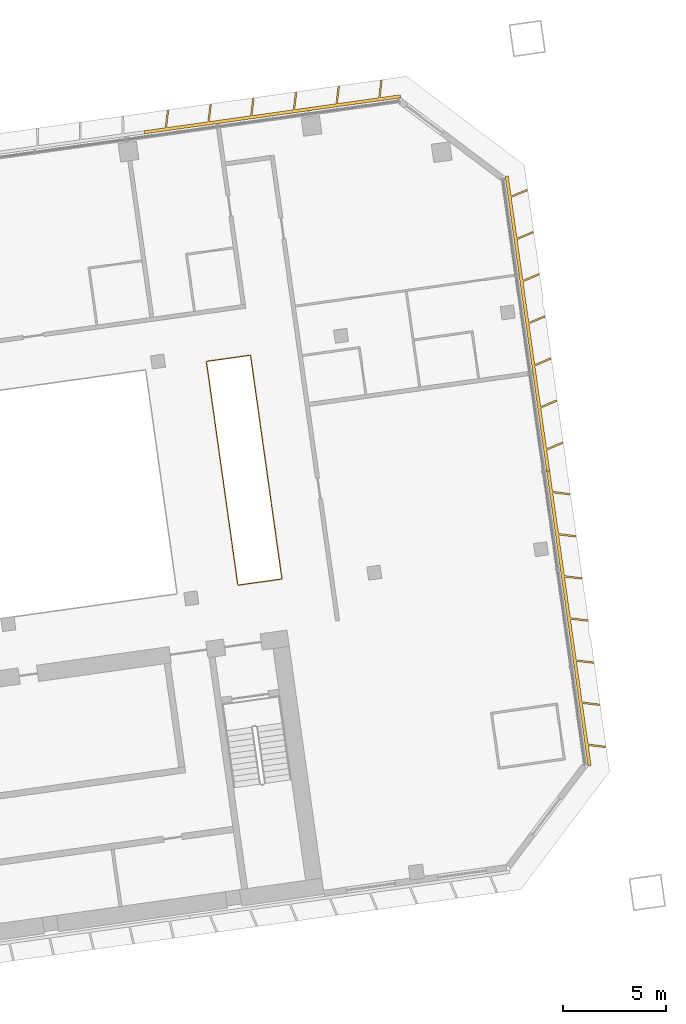
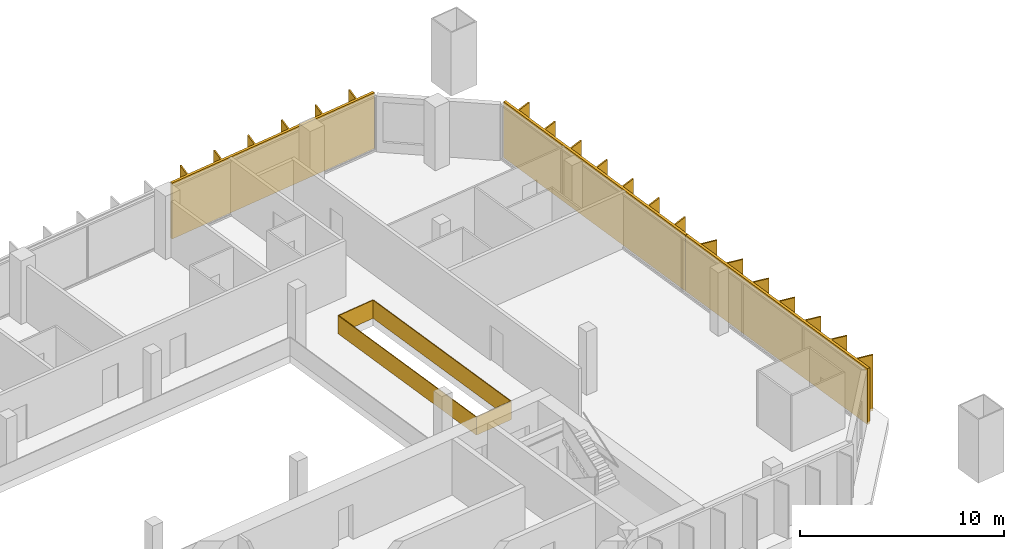
# One storey, part 25 of 25: 3 shading devices, 1 railing.
"""IFC4 building model written with IfcOpenShell, lengths in metres."""

from ifc_helpers import new_model, si_unit, direction, frame, origin, origin_2d, place, context, subcontext, project, spatial, polyline, rectangle, outline, extrude, material, type_object, element, save


model = new_model("IFC4")

# Units and contexts
model_context = context("Model", 3, precision=1e-05, world=origin(), true_north=direction((0.0, 1.0)))
body_context = subcontext(model_context, "Body", "Model", "MODEL_VIEW")
ifc_project = project(units=[si_unit("LENGTHUNIT", "METRE"), si_unit("AREAUNIT", "SQUARE_METRE"), si_unit("VOLUMEUNIT", "CUBIC_METRE"), si_unit("PLANEANGLEUNIT", "RADIAN"), si_unit("MASSUNIT", "GRAM", prefix="KILO")], contexts=[model_context])

# Site, building, storey
site_placement = place(None, origin())
site = spatial("IfcSite", under=ifc_project, at=site_placement, CompositionType="ELEMENT")
building_placement = place(site_placement, origin())
building = spatial("IfcBuilding", under=site, at=building_placement, Name="Mirante Cascada Hotel Towers", CompositionType="ELEMENT")
storey_placement = place(building_placement, frame((0.0, 0.0, 129.1)))
storey = spatial("IfcBuildingStorey", under=building, at=storey_placement, Name="L29", CompositionType="ELEMENT", Elevation=129.1)

# Railing
ifc_material_1 = material(Name="Toughened glass with stainless steel handrail", Category="steel")
railing_type = type_object("IfcRailingType", Name="Atrium guard 1100 glass balustrade", PredefinedType="GUARDRAIL", material=ifc_material_1)
railing_placement = place(storey_placement, frame((86.2624, 2.4738, 0.0)))
element("IfcRailing", 1, at=railing_placement, inside=storey, type_object=railing_type, Name="GUARD 2-L29-3", PredefinedType="GUARDRAIL", context=body_context, shape_type="SweptSolid", body=[
    extrude(rectangle(XDim=0.048, YDim=0.048, at=origin_2d()), frame((0.0, 0.0, 1.076), z_axis=(0.9902724, 0.1391422, 0.0), x_axis=(-0.1391422, 0.9902724, 0.0)), (0.0, 0.0, 1.0), 2.1625),
    extrude(rectangle(XDim=0.02, YDim=1.052, at=origin_2d()), frame((0.0, 0.0, 0.526), z_axis=(0.9902724, 0.1391422, 0.0), x_axis=(-0.1391422, 0.9902724, 0.0)), (0.0, 0.0, 1.0), 2.1625),
    extrude(rectangle(XDim=0.048, YDim=0.048, at=origin_2d()), frame((2.1415, 0.3009, 1.076), z_axis=(-0.1391721, 0.9902682, 0.0), x_axis=(-0.9902682, -0.1391721, 0.0)), (0.0, 0.0, 1.0), 11.0001),
    extrude(rectangle(XDim=0.02, YDim=1.052, at=origin_2d()), frame((2.1415, 0.3009, 0.526), z_axis=(-0.1391721, 0.9902682, 0.0), x_axis=(-0.9902682, -0.1391721, 0.0)), (0.0, 0.0, 1.0), 11.0001),
    extrude(rectangle(XDim=0.048, YDim=0.048, at=origin_2d()), frame((0.6106, 11.1939, 1.076), z_axis=(-0.990266, -0.1391875, 0.0), x_axis=(0.1391875, -0.990266, 0.0)), (0.0, 0.0, 1.0), 2.1626),
    extrude(rectangle(XDim=0.02, YDim=1.052, at=origin_2d()), frame((0.6106, 11.1939, 0.526), z_axis=(-0.990266, -0.1391875, 0.0), x_axis=(0.1391875, -0.990266, 0.0)), (0.0, 0.0, 1.0), 2.1626),
    extrude(rectangle(XDim=0.048, YDim=0.048, at=origin_2d()), frame((-1.5309, 10.8929, 1.076), z_axis=(0.1391733, -0.990268, 0.0), x_axis=(0.990268, 0.1391733, 0.0)), (0.0, 0.0, 1.0), 11.0),
    extrude(rectangle(XDim=0.02, YDim=1.052, at=origin_2d()), frame((-1.5309, 10.8929, 0.526), z_axis=(0.1391733, -0.990268, 0.0), x_axis=(0.990268, 0.1391733, 0.0)), (0.0, 0.0, 1.0), 11.0),
])

# Shading devices
ifc_material_2 = material(Name="White precast concrete C50/60 fin", Category="concrete")
shading_device_type = type_object("IfcShadingDeviceType", Name="Vertical fin set 4500x900", PredefinedType="USERDEFINED", material=ifc_material_2)
shading_device_1_placement = place(storey_placement, origin())
element("IfcShadingDevice", 2, at=shading_device_1_placement, inside=storey, type_object=shading_device_type, Name="FIN T2 L29 front 1", ObjectType="FIN", PredefinedType="USERDEFINED", context=body_context, shape_type="SweptSolid", body=[
    extrude(outline(polyline([(82.8967, 25.5893), (82.7946, 24.758), (84.7922, 25.0387), (84.8968, 25.8913), (84.9762, 25.8815), (84.8742, 25.0503), (86.8717, 25.331), (86.9764, 26.1835), (87.0558, 26.1738), (86.9537, 25.3425), (88.9513, 25.6233), (89.056, 26.4758), (89.1354, 26.4661), (89.0333, 25.6348), (91.0308, 25.9155), (91.1355, 26.7681), (91.2149, 26.7583), (91.1129, 25.9271), (93.1104, 26.2078), (93.2151, 27.0603), (93.2945, 27.0506), (93.1924, 26.2193), (94.1779, 26.3578), (94.1988, 26.2093), (81.7214, 24.4557), (81.7006, 24.6042), (82.7126, 24.7465), (82.8173, 25.599), (82.8967, 25.5893)])), origin(), (0.0, 0.0, 1.0), 3.35),
])
shading_device_2_placement = place(storey_placement, origin())
element("IfcShadingDevice", 3, at=shading_device_2_placement, inside=storey, type_object=shading_device_type, Name="FIN T2 L29 outer 1", ObjectType="FIN", PredefinedType="USERDEFINED", context=body_context, shape_type="SweptSolid", body=[
    extrude(outline(polyline([(104.1606, -5.4483), (103.3293, -5.3462), (103.4659, -6.3175), (103.3173, -6.3384), (101.2993, 8.0205), (101.4478, 8.0413), (101.5881, 7.0434), (102.4406, 6.9388), (102.4309, 6.8594), (101.5996, 6.9614), (101.8764, 4.9922), (102.7289, 4.8875), (102.7192, 4.8081), (101.8879, 4.9102), (102.1647, 2.9409), (103.0172, 2.8362), (103.0075, 2.7568), (102.1762, 2.8589), (102.4529, 0.8896), (103.3055, 0.785), (103.2957, 0.7056), (102.4645, 0.8076), (102.7412, -1.1616), (103.5938, -1.2663), (103.584, -1.3457), (102.7528, -1.2436), (103.0295, -3.2129), (103.8821, -3.3176), (103.8723, -3.397), (103.041, -3.2949), (103.3178, -5.2642), (104.1704, -5.3689), (104.1606, -5.4483)])), origin(), (0.0, 0.0, 1.0), 3.35),
])
shading_device_3_placement = place(storey_placement, origin())
element("IfcShadingDevice", 4, at=shading_device_3_placement, inside=storey, type_object=shading_device_type, Name="FIN T2 L29 outer 2", ObjectType="FIN", PredefinedType="USERDEFINED", context=body_context, shape_type="SweptSolid", body=[
    extrude(outline(polyline([(102.0983, 9.3749), (101.3076, 9.0392), (101.4478, 8.0413), (101.2993, 8.0205), (99.2813, 22.3794), (99.4298, 22.4002), (99.5663, 21.4289), (100.3373, 21.7561), (100.3685, 21.6825), (99.5779, 21.3469), (99.8546, 19.3776), (100.6256, 19.7048), (100.6568, 19.6312), (99.8662, 19.2956), (100.1429, 17.3263), (100.9139, 17.6536), (100.9451, 17.5799), (100.1544, 17.2443), (100.4312, 15.2751), (101.2021, 15.6023), (101.2334, 15.5287), (100.4427, 15.193), (100.7195, 13.2238), (101.4904, 13.551), (101.5217, 13.4774), (100.731, 13.1418), (101.0078, 11.1725), (101.7787, 11.4998), (101.81, 11.4261), (101.0193, 11.0905), (101.2961, 9.1212), (102.067, 9.4485), (102.0983, 9.3749)])), origin(), (0.0, 0.0, 1.0), 3.35),
])

save(model, "model.ifc")
